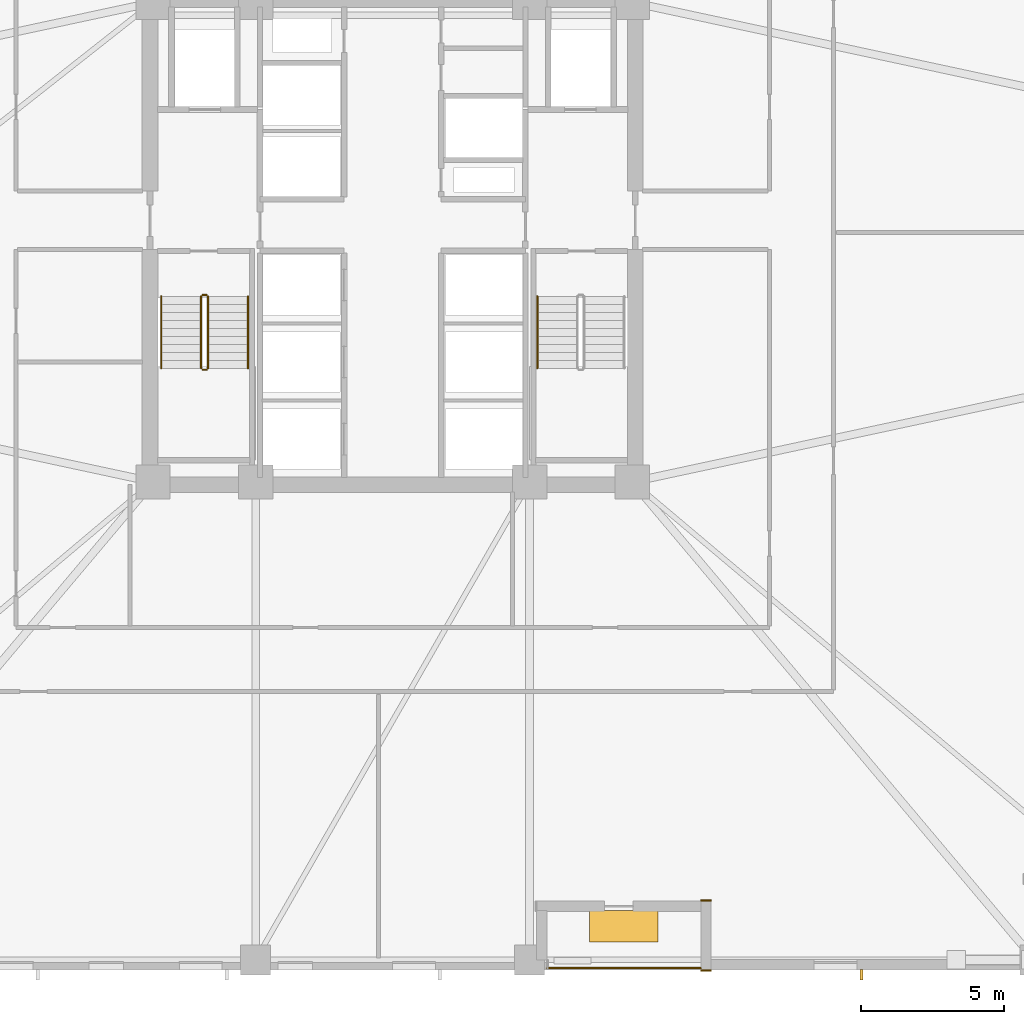
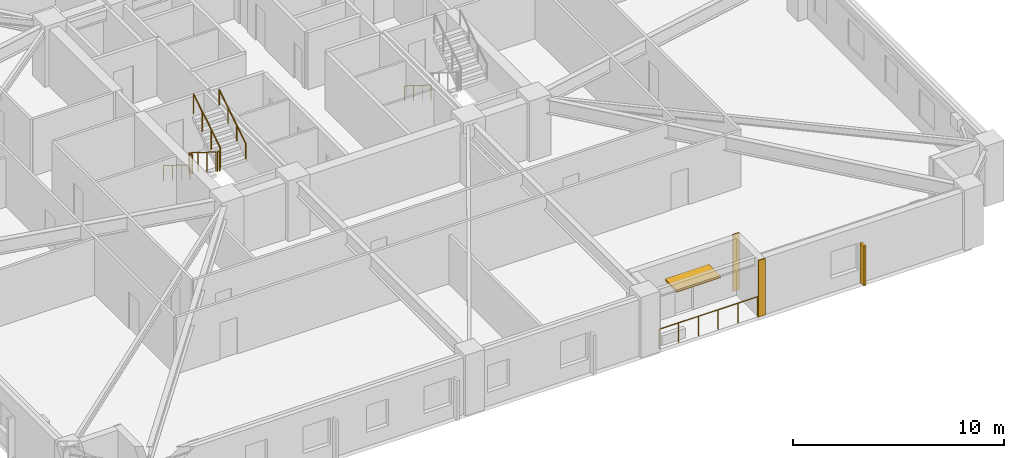
# One storey, part 8 of 11: 8 railings, 2 coverings, 2 shading devices.
"""IFC4 building model written with IfcOpenShell, lengths in metres."""

from ifc_helpers import new_model, si_unit, direction, frame, frame_2d, origin, origin_2d, place, context, subcontext, project, spatial, rectangle, circle, extrude, material, layer, layer_set, type_object, element, save


model = new_model("IFC4")

# Units and contexts
model_context = context("Model", 3, precision=1e-05, world=origin(), true_north=direction((0.0, 1.0)))
body_context = subcontext(model_context, "Body", "Model", "MODEL_VIEW")
ifc_project = project(units=[si_unit("LENGTHUNIT", "METRE"), si_unit("AREAUNIT", "SQUARE_METRE"), si_unit("VOLUMEUNIT", "CUBIC_METRE"), si_unit("PLANEANGLEUNIT", "RADIAN"), si_unit("MASSUNIT", "GRAM", prefix="KILO")], contexts=[model_context])

# Site, building, storey
site_placement = place(None, origin())
site = spatial("IfcSite", under=ifc_project, at=site_placement, CompositionType="ELEMENT")
building_placement = place(site_placement, origin())
building = spatial("IfcBuilding", under=site, at=building_placement, Name="Cairnveth Concourse Tower", CompositionType="ELEMENT")
storey_placement = place(building_placement, frame((0.0, 0.0, 44.5)))
storey = spatial("IfcBuildingStorey", under=building, at=storey_placement, Name="L11", CompositionType="ELEMENT", Elevation=44.5)

# Coverings
ifc_material_1 = material(Name="Dressed Melbourne Bluestone Cladding", Category="masonry")
ifc_layer = layer(ifc_material_1, 0.050048828125)
ifc_layer_set = layer_set([ifc_layer], Name="Dressed Melbourne Bluestone Cladding")
covering_type = type_object("IfcCoveringType", Name="DRESSED BLUESTONE PLINTH CLADDING 50", PredefinedType="CLADDING", material=ifc_layer_set)
for number, where, z_axis, x_axis, name in (
    (1, (63.159912109375, 13.47998046875, 0.0), (0.0, 0.0, 1.0), (-1.0, 0.0, 0.0), "Melbourne Bluestone Corner Quoin L11-132"),
    (2, (63.159912109375, 15.929931640625, 0.0), (0.0, 0.0, 1.0), (-1.0, 0.0, 0.0), "Melbourne Bluestone Corner Quoin L11-133"),
):
    element("IfcCovering", number, at=place(storey_placement, frame(where, z_axis=z_axis, x_axis=x_axis)), inside=storey, type_object=covering_type, Name=name, PredefinedType="CLADDING", context=body_context, shape_type="SweptSolid", body=[
        extrude(rectangle(XDim=0.35986328125, YDim=0.050048828125, at=frame_2d((0.179931640625, 0.0))), origin(), (0.0, 0.0, 1.0), 3.280029296875),
    ])

# Shading devices
ifc_material_2 = material(Name="Architectural Bronze Anodised Aluminium 6063-T6", Category="aluminium")
shading_device_type_1 = type_object("IfcShadingDeviceType", Name="GOTHIC BRONZE VERTICAL LANCET FIN", PredefinedType="USERDEFINED", material=ifc_material_2)
shading_device_1_placement = place(storey_placement, frame((68.428955078125, 13.324951171875, 0.02978515625), z_axis=(0.0, 0.0, 1.0), x_axis=(1.0, 0.0, 0.0)))
element("IfcShadingDevice", 3, at=shading_device_1_placement, inside=storey, type_object=shading_device_type_1, Name="Gothic Bronze Vertical Fin L11-12-1", ObjectType="VERTICAL FIN", PredefinedType="USERDEFINED", context=body_context, shape_type="SweptSolid", body=[
    extrude(rectangle(XDim=0.1201171875, YDim=0.360107421875, at=origin_2d()), origin(), (0.0, 0.0, 1.0), 2.303955078125),
])
shading_device_type_2 = type_object("IfcShadingDeviceType", Name="SPIRAL TERRACE SUNSHADE CANOPY", PredefinedType="USERDEFINED", material=ifc_material_2)
shading_device_2_placement = place(storey_placement, frame((60.10009765625, 15.030029296875, 2.183837890625), z_axis=(0.0, 0.0, 1.0), x_axis=(1.0, 0.0, 0.0)))
element("IfcShadingDevice", 4, at=shading_device_2_placement, inside=storey, type_object=shading_device_type_2, Name="Spiral Terrace Sunshade L11", ObjectType="TERRACE SUNSHADE", PredefinedType="USERDEFINED", context=body_context, shape_type="SweptSolid", body=[
    extrude(rectangle(XDim=2.39990234375, YDim=1.10009765625, at=origin_2d()), origin(), (0.0, 0.0, 1.0), 0.1201171875),
])

# Railings
ifc_material_3 = material(Name="Steel Grade 350", Category="steel")
railing_type_1 = type_object("IfcRailingType", Name="STAIR GUARDRAIL 1150", PredefinedType="GUARDRAIL", material=ifc_material_3)
railing_1_placement = place(storey_placement, frame((45.2900390625, 37.10009765625, 0.175048828125)))
element("IfcRailing", 5, at=railing_1_placement, inside=storey, type_object=railing_type_1, Name="L11 ST-1 stair guard 1", PredefinedType="GUARDRAIL", context=body_context, shape_type="SweptSolid", body=[
    extrude(circle(Radius=0.02392578125, at=origin_2d()), frame((0.0, 0.0, 1.1259765625), z_axis=(0.0, -0.848007534815, 0.529984170421), x_axis=(1.0, 0.0, 0.0)), (0.0, 0.0, 1.0), 2.9716796875),
    extrude(circle(Radius=0.02099609375, at=origin_2d()), origin(), (0.0, 0.0, 1.0), 1.101806640625),
    extrude(circle(Radius=0.02099609375, at=origin_2d()), frame((0.0, -0.840087890625, 0.52490234375)), (0.0, 0.0, 1.0), 1.101806640625),
    extrude(circle(Radius=0.02099609375, at=origin_2d()), frame((0.0, -1.679931640625, 1.050048828125)), (0.0, 0.0, 1.0), 1.101806640625),
    extrude(circle(Radius=0.02099609375, at=origin_2d()), frame((0.0, -2.52001953125, 1.574951171875)), (0.0, 0.0, 1.0), 1.101806640625),
])
railing_2_placement = place(storey_placement, frame((45.340087890625, 34.530029296875, 1.75)))
element("IfcRailing", 6, at=railing_2_placement, inside=storey, type_object=railing_type_1, Name="L11 ST-1 stair guard 2", PredefinedType="GUARDRAIL", context=body_context, shape_type="SweptSolid", body=[
    extrude(circle(Radius=0.02392578125, at=origin_2d()), frame((0.0, 0.0, 1.1259765625), z_axis=(1.0, 0.0, 0.0), x_axis=(0.0, 1.0, 0.0)), (0.0, 0.0, 1.0), 0.139892578125),
    extrude(circle(Radius=0.02099609375, at=origin_2d()), origin(), (0.0, 0.0, 1.0), 1.101806640625),
    extrude(circle(Radius=0.02099609375, at=origin_2d()), frame((0.139892578125, 0.0, 0.0)), (0.0, 0.0, 1.0), 1.101806640625),
])
railing_3_placement = place(storey_placement, frame((45.530029296875, 34.580078125, 1.925048828125)))
element("IfcRailing", 7, at=railing_3_placement, inside=storey, type_object=railing_type_1, Name="L11 ST-1 stair guard 3", PredefinedType="GUARDRAIL", context=body_context, shape_type="SweptSolid", body=[
    extrude(circle(Radius=0.02392578125, at=origin_2d()), frame((0.0, 0.0, 1.1259765625), z_axis=(0.0, 0.848007534815, 0.529984170421), x_axis=(-1.0, 0.0, 0.0)), (0.0, 0.0, 1.0), 2.9716796875),
    extrude(circle(Radius=0.02099609375, at=origin_2d()), origin(), (0.0, 0.0, 1.0), 1.101806640625),
    extrude(circle(Radius=0.02099609375, at=origin_2d()), frame((0.0, 0.840087890625, 0.52490234375)), (0.0, 0.0, 1.0), 1.101806640625),
    extrude(circle(Radius=0.02099609375, at=origin_2d()), frame((0.0, 1.679931640625, 1.050048828125)), (0.0, 0.0, 1.0), 1.101806640625),
    extrude(circle(Radius=0.02099609375, at=origin_2d()), frame((0.0, 2.52001953125, 1.574951171875)), (0.0, 0.0, 1.0), 1.101806640625),
])
railing_4_placement = place(storey_placement, frame((45.340087890625, 37.14990234375, 0.0)))
element("IfcRailing", 8, at=railing_4_placement, inside=storey, type_object=railing_type_1, Name="L11 ST-1 stair guard 4", PredefinedType="GUARDRAIL", context=body_context, shape_type="SweptSolid", body=[
    extrude(circle(Radius=0.02392578125, at=origin_2d()), frame((0.0, 0.0, 1.1259765625), z_axis=(1.0, 0.0, 0.0), x_axis=(0.0, 1.0, 0.0)), (0.0, 0.0, 1.0), 0.139892578125),
    extrude(circle(Radius=0.02099609375, at=origin_2d()), origin(), (0.0, 0.0, 1.0), 1.101806640625),
    extrude(circle(Radius=0.02099609375, at=origin_2d()), frame((0.139892578125, 0.0, 0.0)), (0.0, 0.0, 1.0), 1.101806640625),
])
railing_type_2 = type_object("IfcRailingType", Name="STAIR WALL HANDRAIL 900", PredefinedType="HANDRAIL", material=ifc_material_3)
railing_5_placement = place(storey_placement, frame((43.889892578125, 37.10009765625, 0.175048828125)))
element("IfcRailing", 9, at=railing_5_placement, inside=storey, type_object=railing_type_2, Name="L11 ST-1 stair handrail 1", PredefinedType="HANDRAIL", context=body_context, shape_type="SweptSolid", body=[
    extrude(circle(Radius=0.02392578125, at=origin_2d()), frame((0.0, 0.0, 0.8759765625), z_axis=(0.0, -0.848007534815, 0.529984170421), x_axis=(1.0, 0.0, 0.0)), (0.0, 0.0, 1.0), 2.9716796875),
    extrude(circle(Radius=0.02099609375, at=origin_2d()), origin(), (0.0, 0.0, 1.0), 0.851806640625),
    extrude(circle(Radius=0.02099609375, at=origin_2d()), frame((0.0, -0.840087890625, 0.52490234375)), (0.0, 0.0, 1.0), 0.851806640625),
    extrude(circle(Radius=0.02099609375, at=origin_2d()), frame((0.0, -1.679931640625, 1.050048828125)), (0.0, 0.0, 1.0), 0.851806640625),
    extrude(circle(Radius=0.02099609375, at=origin_2d()), frame((0.0, -2.52001953125, 1.574951171875)), (0.0, 0.0, 1.0), 0.851806640625),
])
railing_6_placement = place(storey_placement, frame((46.929931640625, 34.580078125, 1.925048828125)))
element("IfcRailing", 10, at=railing_6_placement, inside=storey, type_object=railing_type_2, Name="L11 ST-1 stair handrail 2", PredefinedType="HANDRAIL", context=body_context, shape_type="SweptSolid", body=[
    extrude(circle(Radius=0.02392578125, at=origin_2d()), frame((0.0, 0.0, 0.8759765625), z_axis=(0.0, 0.848007534815, 0.529984170421), x_axis=(-1.0, 0.0, 0.0)), (0.0, 0.0, 1.0), 2.9716796875),
    extrude(circle(Radius=0.02099609375, at=origin_2d()), origin(), (0.0, 0.0, 1.0), 0.851806640625),
    extrude(circle(Radius=0.02099609375, at=origin_2d()), frame((0.0, 0.840087890625, 0.52490234375)), (0.0, 0.0, 1.0), 0.851806640625),
    extrude(circle(Radius=0.02099609375, at=origin_2d()), frame((0.0, 1.679931640625, 1.050048828125)), (0.0, 0.0, 1.0), 0.851806640625),
    extrude(circle(Radius=0.02099609375, at=origin_2d()), frame((0.0, 2.52001953125, 1.574951171875)), (0.0, 0.0, 1.0), 0.851806640625),
])
railing_7_placement = place(storey_placement, frame((57.070068359375, 37.10009765625, 0.175048828125)))
element("IfcRailing", 11, at=railing_7_placement, inside=storey, type_object=railing_type_2, Name="L11 ST-2 stair handrail 1", PredefinedType="HANDRAIL", context=body_context, shape_type="SweptSolid", body=[
    extrude(circle(Radius=0.02392578125, at=origin_2d()), frame((0.0, 0.0, 0.8759765625), z_axis=(0.0, -0.848007534815, 0.529984170421), x_axis=(1.0, 0.0, 0.0)), (0.0, 0.0, 1.0), 2.9716796875),
    extrude(circle(Radius=0.02099609375, at=origin_2d()), origin(), (0.0, 0.0, 1.0), 0.851806640625),
    extrude(circle(Radius=0.02099609375, at=origin_2d()), frame((0.0, -0.840087890625, 0.52490234375)), (0.0, 0.0, 1.0), 0.851806640625),
    extrude(circle(Radius=0.02099609375, at=origin_2d()), frame((0.0, -1.679931640625, 1.050048828125)), (0.0, 0.0, 1.0), 0.851806640625),
    extrude(circle(Radius=0.02099609375, at=origin_2d()), frame((0.0, -2.52001953125, 1.574951171875)), (0.0, 0.0, 1.0), 0.851806640625),
])
railing_type_3 = type_object("IfcRailingType", Name="TERRACE BRONZE BALUSTRADE 1150", PredefinedType="BALUSTRADE", material=ifc_material_2)
railing_8_placement = place(storey_placement, frame((57.39990234375, 13.56005859375, 0.0)))
element("IfcRailing", 12, at=railing_8_placement, inside=storey, type_object=railing_type_3, Name="Terrace Balustrade RL-L11-TERR", PredefinedType="BALUSTRADE", context=body_context, shape_type="SweptSolid", body=[
    extrude(circle(Radius=0.02490234375, at=origin_2d()), frame((0.0, 0.0, 1.125), z_axis=(1.0, 0.0, 0.0), x_axis=(0.0, 1.0, 0.0)), (0.0, 0.0, 1.0), 5.400146484375),
    extrude(circle(Radius=0.02099609375, at=origin_2d()), origin(), (0.0, 0.0, 1.0), 1.099853515625),
    extrude(circle(Radius=0.02099609375, at=origin_2d()), frame((1.080078125, 0.0, 0.0)), (0.0, 0.0, 1.0), 1.099853515625),
    extrude(circle(Radius=0.02099609375, at=origin_2d()), frame((2.16015625, 0.0, 0.0)), (0.0, 0.0, 1.0), 1.099853515625),
    extrude(circle(Radius=0.02099609375, at=origin_2d()), frame((3.239990234375, 0.0, 0.0)), (0.0, 0.0, 1.0), 1.099853515625),
    extrude(circle(Radius=0.02099609375, at=origin_2d()), frame((4.320068359375, 0.0, 0.0)), (0.0, 0.0, 1.0), 1.099853515625),
    extrude(circle(Radius=0.02099609375, at=origin_2d()), frame((5.400146484375, 0.0, 0.0)), (0.0, 0.0, 1.0), 1.099853515625),
])

save(model, "model.ifc")
